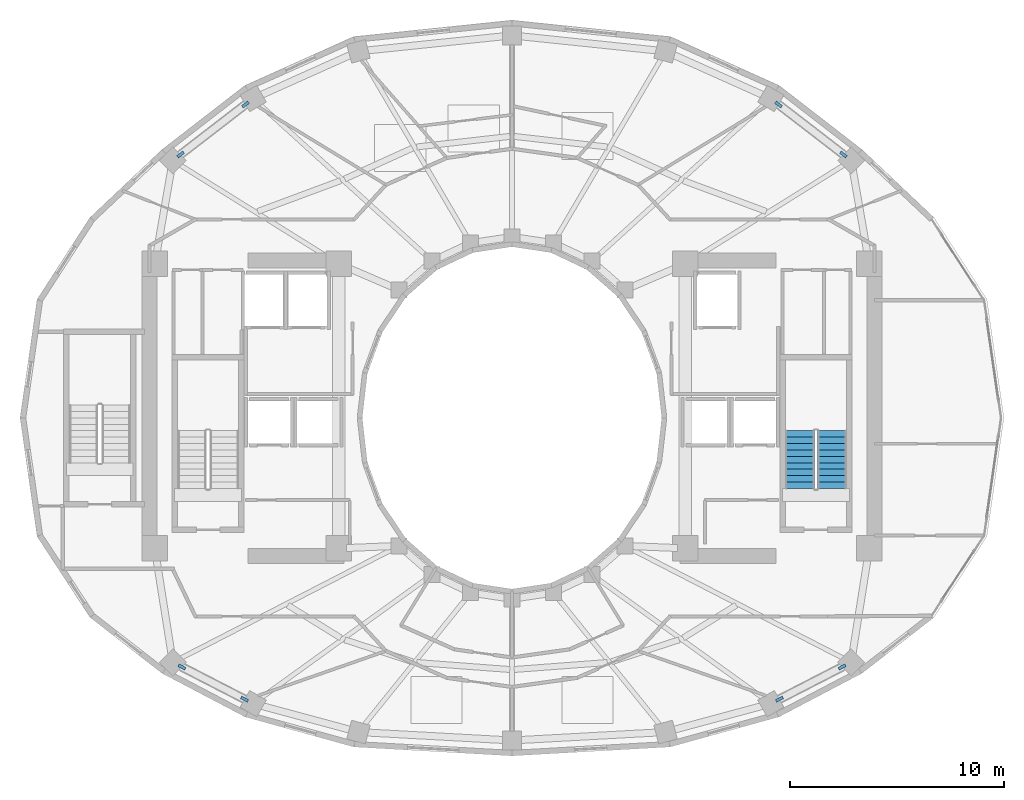
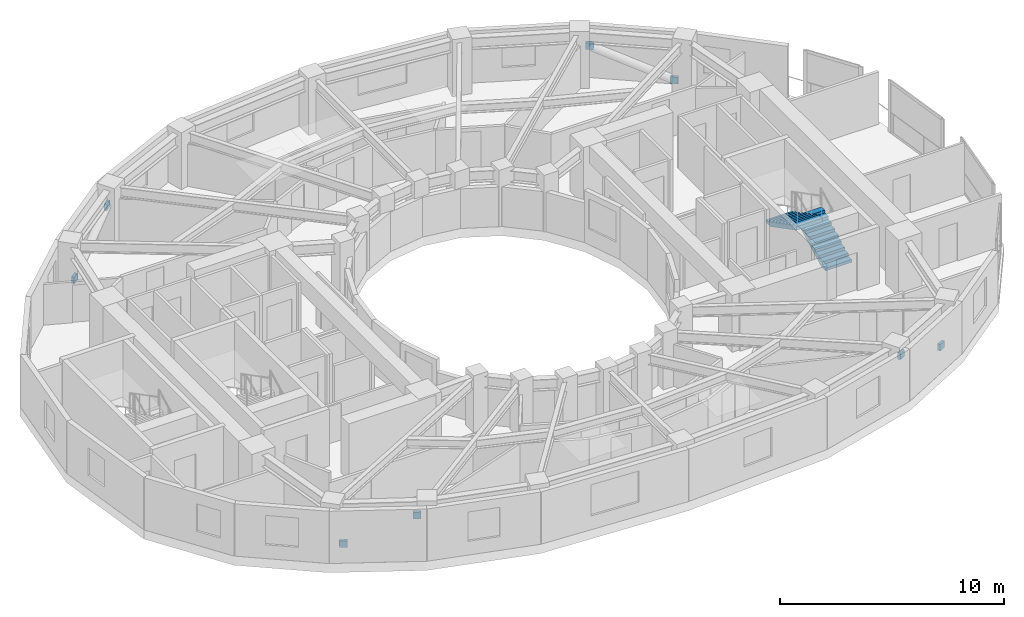
# One storey, part 10 of 13: 8 discrete accessories, 2 stair flights, 1 element without a shape of its own.
"""IFC4 building model written with IfcOpenShell, lengths in metres."""

from ifc_helpers import new_model, si_unit, direction, frame, origin, origin_2d, place, context, subcontext, project, spatial, polyline, rectangle, outline, extrude, material, layer, layer_set, type_object, element, aggregate, save


model = new_model("IFC4")

# Units and contexts
model_context = context("Model", 3, precision=1e-05, world=origin(), true_north=direction((0.0, 1.0)))
body_context = subcontext(model_context, "Body", "Model", "MODEL_VIEW")
ifc_project = project(units=[si_unit("LENGTHUNIT", "METRE"), si_unit("AREAUNIT", "SQUARE_METRE"), si_unit("VOLUMEUNIT", "CUBIC_METRE"), si_unit("PLANEANGLEUNIT", "RADIAN"), si_unit("MASSUNIT", "GRAM", prefix="KILO")], contexts=[model_context])

# Site, building, storey
site_placement = place(None, origin())
site = spatial("IfcSite", under=ifc_project, at=site_placement, CompositionType="ELEMENT")
building_placement = place(site_placement, origin())
building = spatial("IfcBuilding", under=site, at=building_placement, Name="Solvane Sanctuary Tower", CompositionType="ELEMENT")
storey_placement = place(building_placement, frame((0.0, 0.0, 152.89990234375)))
storey = spatial("IfcBuildingStorey", under=building, at=storey_placement, Name="L46", CompositionType="ELEMENT", Elevation=152.89990234375)

# Stair, stair flights
ifc_material_1 = material(Name="Concrete C45/55", Category="concrete")
stair_type = type_object("IfcStairType", Name="Stair ST-TOW", PredefinedType="HALF_TURN_STAIR", material=ifc_material_1)
stair_placement = place(storey_placement, origin())
stair = element("IfcStair", 1, at=stair_placement, inside=storey, type_object=stair_type, Name="L46 Exit Stair ST-2 East Core", PredefinedType="HALF_TURN_STAIR")
stair_flight_type = type_object("IfcStairFlightType", Name="StairFlight SF-TOW", PredefinedType="STRAIGHT", material=ifc_material_1)
stair_flight_1_placement = place(storey_placement, frame((46.965087890625, 19.699951171875, 0.0), z_axis=(0.0, 0.0, 1.0), x_axis=(0.0, 1.0, 0.0)))
stair_flight_1 = element("IfcStairFlight", 2, at=stair_flight_1_placement, type_object=stair_flight_type, Name="ST-2 flight 1", NumberOfRisers=10, NumberOfTreads=9, PredefinedType="STRAIGHT", RiserHeight=0.155, TreadLength=0.3, context=body_context, shape_type="SweptSolid", body=[
    extrude(outline(polyline([(0.0, 0.0), (0.0, 0.155029296875), (0.300048828125, 0.155029296875), (0.300048828125, 0.31005859375), (0.60009765625, 0.31005859375), (0.60009765625, 0.465087890625), (0.89990234375, 0.465087890625), (0.89990234375, 0.6201171875), (1.199951171875, 0.6201171875), (1.199951171875, 0.77490234375), (1.5, 0.77490234375), (1.5, 0.929931640625), (1.800048828125, 0.929931640625), (1.800048828125, 1.0849609375), (2.10009765625, 1.0849609375), (2.10009765625, 1.239990234375), (2.39990234375, 1.239990234375), (2.39990234375, 1.39501953125), (2.699951171875, 1.39501953125), (2.699951171875, 1.550048828125), (2.699951171875, 1.1923828125), (0.39208984375, 0.0), (0.0, 0.0)])), frame((0.0, 0.675048828125, 0.0), z_axis=(0.0, -1.0, 0.0), x_axis=(1.0, 0.0, 0.0)), (0.0, 0.0, 1.0), 1.35009765625),
])
stair_flight_2_placement = place(storey_placement, frame((45.455078125, 22.39990234375, 1.550048828125), z_axis=(0.0, 0.0, 1.0), x_axis=(0.0, -1.0, 0.0)))
stair_flight_2 = element("IfcStairFlight", 3, at=stair_flight_2_placement, type_object=stair_flight_type, Name="ST-2 flight 2", NumberOfRisers=10, NumberOfTreads=9, PredefinedType="STRAIGHT", RiserHeight=0.155, TreadLength=0.3, context=body_context, shape_type="SweptSolid", body=[
    extrude(outline(polyline([(0.0, 0.0), (0.0, 0.155029296875), (0.300048828125, 0.155029296875), (0.300048828125, 0.31005859375), (0.60009765625, 0.31005859375), (0.60009765625, 0.465087890625), (0.89990234375, 0.465087890625), (0.89990234375, 0.6201171875), (1.199951171875, 0.6201171875), (1.199951171875, 0.77490234375), (1.5, 0.77490234375), (1.5, 0.929931640625), (1.800048828125, 0.929931640625), (1.800048828125, 1.0849609375), (2.10009765625, 1.0849609375), (2.10009765625, 1.239990234375), (2.39990234375, 1.239990234375), (2.39990234375, 1.39501953125), (2.699951171875, 1.39501953125), (2.699951171875, 1.550048828125), (2.699951171875, 1.1923828125), (0.39208984375, 0.0), (0.0, 0.0)])), frame((0.0, 0.675048828125, 0.0), z_axis=(0.0, -1.0, 0.0), x_axis=(1.0, 0.0, 0.0)), (0.0, 0.0, 1.0), 1.35009765625),
])
aggregate(stair, [stair_flight_1, stair_flight_2])

# Discrete accessories
ifc_material_2 = material(Name="Steel ASTM A572 Grade 50", Category="steel")
ifc_layer = layer(ifc_material_2, 0.360107421875, Name="Steel ASTM A572 Grade 50")
ifc_layer_set = layer_set([ifc_layer], Name="Steel ASTM A572 Grade 50")
discrete_accessory_type = type_object("IfcDiscreteAccessoryType", Name="Accessory ACC-GUSSET-BRK", PredefinedType="BRACKET", material=ifc_layer_set)
for number, where, z_axis, x_axis, name in (
    (4, (47.493408203125, 35.31103515625, 0.380859375), (0.0, 0.0, 1.0), (-0.79207661425, 0.610421687982, 0.0), "L46 Perimeter Braced-Tube Diagonal NE End Gusset Bracket A"),
    (5, (44.46142578125, 37.64794921875, 1.88916015625), (0.0, 0.0, 1.0), (-0.79207661425, 0.610421687982, 0.0), "L46 Perimeter Braced-Tube Diagonal NE End Gusset Bracket B"),
    (6, (16.506591796875, 35.31103515625, 0.380859375), (0.0, 0.0, 1.0), (0.79207661425, 0.610421687982, 0.0), "L46 Perimeter Braced-Tube Diagonal NW End Gusset Bracket A"),
    (7, (19.53857421875, 37.64794921875, 1.88916015625), (0.0, 0.0, 1.0), (0.79207661425, 0.610421687982, 0.0), "L46 Perimeter Braced-Tube Diagonal NW End Gusset Bracket B"),
    (8, (16.567626953125, 11.35546875, 0.4111328125), (0.0, 0.0, 1.0), (0.889256761832, -0.457408364087, 0.0), "L46 Perimeter Braced-Tube Diagonal SW End Gusset Bracket A"),
    (9, (19.497314453125, 9.848876953125, 1.86865234375), (0.0, 0.0, 1.0), (0.889256761832, -0.457408364087, 0.0), "L46 Perimeter Braced-Tube Diagonal SW End Gusset Bracket B"),
    (10, (47.432373046875, 11.35546875, 0.4111328125), (0.0, 0.0, 1.0), (-0.889256761832, -0.457408364087, 0.0), "L46 Perimeter Braced-Tube Diagonal SE End Gusset Bracket A"),
    (11, (44.502685546875, 9.848876953125, 1.86865234375), (0.0, 0.0, 1.0), (-0.889256761832, -0.457408364087, 0.0), "L46 Perimeter Braced-Tube Diagonal SE End Gusset Bracket B"),
):
    element("IfcDiscreteAccessory", number, at=place(storey_placement, frame(where, z_axis=z_axis, x_axis=x_axis)), inside=storey, type_object=discrete_accessory_type, Name=name, PredefinedType="BRACKET", context=body_context, shape_type="SweptSolid", body=[
        extrude(rectangle(XDim=0.360107421875, YDim=0.139892578125, at=origin_2d()), origin(), (0.0, 0.0, 1.0), 0.360107421875),
    ])

save(model, "model.ifc")
